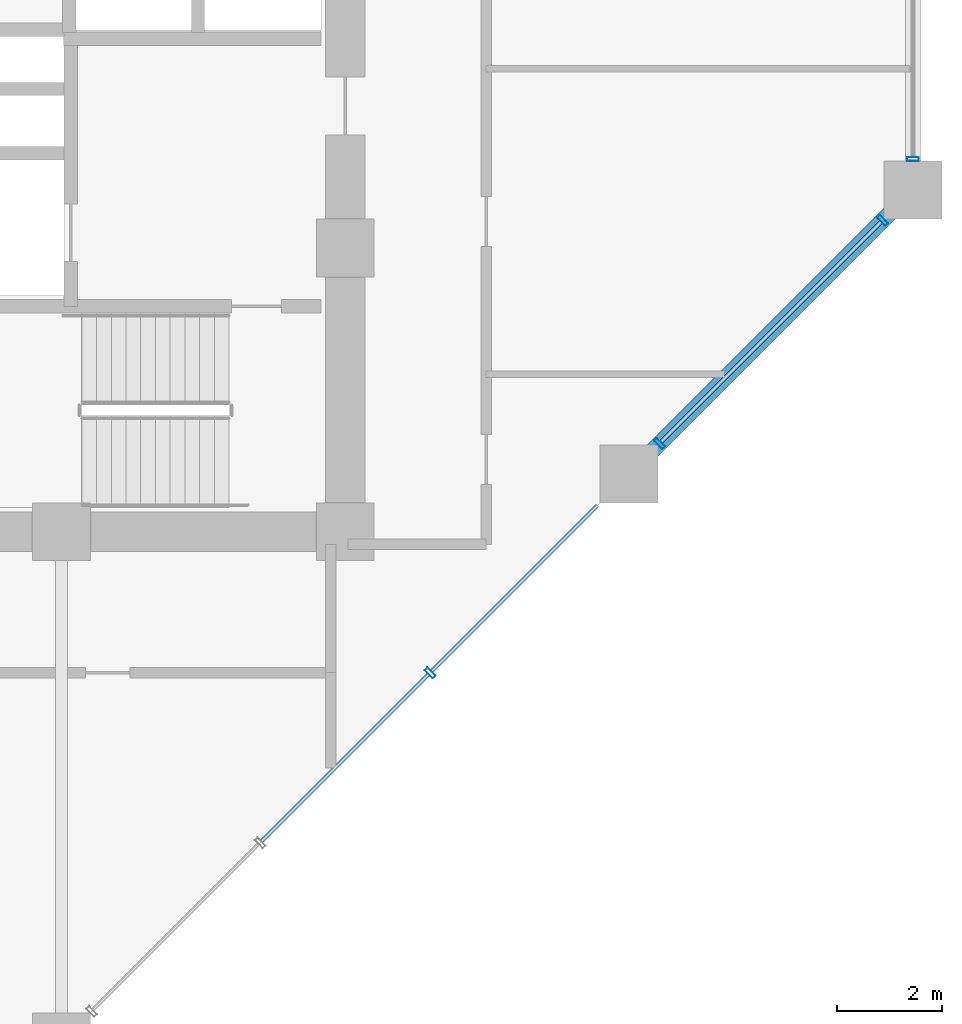
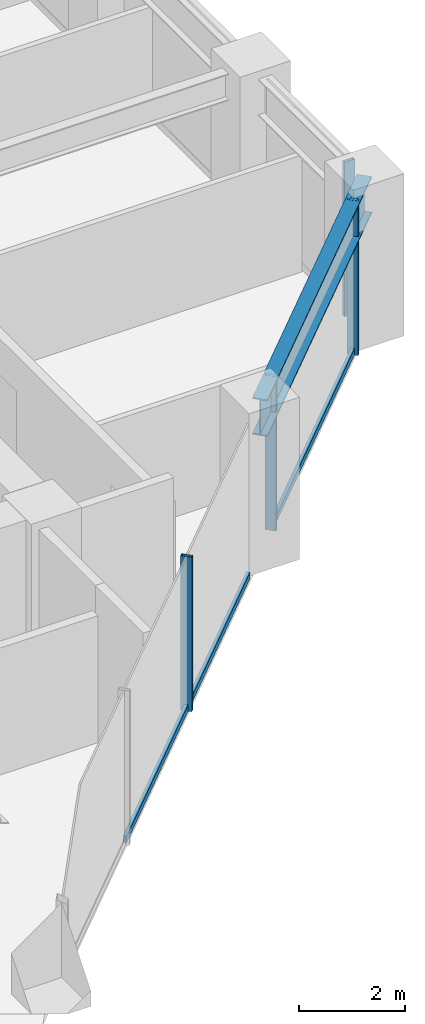
# One storey, part 8 of 25: 7 members, 1 beam, 2 elements without a shape of their own.
"""IFC4 building model written with IfcOpenShell, lengths in metres."""

from ifc_helpers import new_model, si_unit, direction, frame, origin, origin_2d, place, context, subcontext, project, spatial, hollow_rectangle, i_section, extrude, material, layer, layer_set, material_profile, profile_set, type_object, element, aggregate, save


model = new_model("IFC4")

# Units and contexts
model_context = context("Model", 3, precision=1e-05, world=origin(), true_north=direction((0.0, 1.0)))
body_context = subcontext(model_context, "Body", "Model", "MODEL_VIEW")
ifc_project = project(units=[si_unit("LENGTHUNIT", "METRE"), si_unit("AREAUNIT", "SQUARE_METRE"), si_unit("VOLUMEUNIT", "CUBIC_METRE"), si_unit("PLANEANGLEUNIT", "RADIAN"), si_unit("MASSUNIT", "GRAM", prefix="KILO")], contexts=[model_context])

# Site, building, storey
site_placement = place(None, origin())
site = spatial("IfcSite", under=ifc_project, at=site_placement, CompositionType="ELEMENT")
building_placement = place(site_placement, origin())
building = spatial("IfcBuilding", under=site, at=building_placement, Name="Surkhivell Harbour Commons", CompositionType="ELEMENT")
storey_placement = place(building_placement, frame((0.0, 0.0, 117.0)))
storey = spatial("IfcBuildingStorey", under=building, at=storey_placement, Name="L30", CompositionType="ELEMENT", Elevation=117.0)

# Beam
ifc_material_1 = material(Name="Steel S460", Category="steel")
ifc_material_profile_1 = material_profile(ifc_material_1, i_section(OverallWidth=0.2939453125, OverallDepth=0.85107421875, WebThickness=0.01611328125, FlangeThickness=0.02685546875, at=origin_2d()), Name="UB838x292x226")
ifc_profile_set_1 = profile_set([ifc_material_profile_1], Name="Steel S460")
beam_type = type_object("IfcBeamType", Name="BM-SPN-838", PredefinedType="SPANDREL", material=ifc_profile_set_1)
beam_placement = place(storey_placement, frame((16.199951171875, -9.699951171875, 3.14453125), z_axis=(0.707122765516, 0.707090796496, 0.0), x_axis=(-0.707090796496, 0.707122765516, 0.0)))
element("IfcBeam", 1, at=beam_placement, inside=storey, type_object=beam_type, Name="L30 Tube Spandrel (16.2,-9.7)", PredefinedType="SPANDREL", context=body_context, shape_type="SweptSolid", body=[
    extrude(i_section(OverallWidth=0.2939453125, OverallDepth=0.85107421875, WebThickness=0.01611328125, FlangeThickness=0.02685546875, at=origin_2d()), origin(), (0.0, 0.0, 1.0), 7.63671875),
])

# Curtain wall, members
ifc_material_2 = material(Name="Anodised pale-metal aluminium and insulated glazing", Category="aluminium")
ifc_layer = layer(ifc_material_2, 0.205078125)
ifc_layer_set = layer_set([ifc_layer], Name="Anodised pale-metal aluminium and insulated glazing")
curtain_wall_type = type_object("IfcCurtainWallType", Name="CW-SYS-Z2", PredefinedType="NOTDEFINED", material=ifc_layer_set)
curtain_wall_1_placement = place(storey_placement, origin())
curtain_wall_1 = element("IfcCurtainWall", 2, at=curtain_wall_1_placement, inside=storey, type_object=curtain_wall_type, Name="L30 Curtain Wall CW-L30-E01", PredefinedType="NOTDEFINED")
ifc_material_3 = material(Name="Anodised pale-metal aluminium alloy 6063-T6", Category="aluminium")
ifc_material_profile_2 = material_profile(ifc_material_3, hollow_rectangle(XDim=0.074951171875, YDim=0.219970703125, WallThickness=0.00390625, at=origin_2d()), Name="ALU-MULL-75x220")
ifc_profile_set_2 = profile_set([ifc_material_profile_2], Name="Anodised pale-metal aluminium alloy 6063-T6")
member_type_1 = type_object("IfcMemberType", Name="CWM-220", PredefinedType="MULLION", material=ifc_profile_set_2)
member_1_placement = place(storey_placement, frame((12.416015625, -13.48388671875, 0.0), z_axis=(0.0, 0.0, 1.0), x_axis=(0.707106781187, 0.707106781187, 0.0)))
member_1 = element("IfcMember", 3, at=member_1_placement, type_object=member_type_1, Name="CW-Z2 mullion 4", PredefinedType="MULLION", context=body_context, shape_type="SweptSolid", body=[
    extrude(hollow_rectangle(XDim=0.074951171875, YDim=0.219970703125, WallThickness=0.00390625, at=origin_2d()), origin(), (0.0, 0.0, 1.0), 3.570068359375),
])
member_2_placement = place(storey_placement, frame((16.7783203125, -9.121826171875, 0.0), z_axis=(0.0, 0.0, 1.0), x_axis=(0.707106781187, 0.707106781187, 0.0)))
member_2 = element("IfcMember", 4, at=member_2_placement, type_object=member_type_1, Name="CW-Z2 mullion 5", PredefinedType="MULLION", context=body_context, shape_type="SweptSolid", body=[
    extrude(hollow_rectangle(XDim=0.074951171875, YDim=0.219970703125, WallThickness=0.00390625, at=origin_2d()), origin(), (0.0, 0.0, 1.0), 3.570068359375),
])
member_3_placement = place(storey_placement, frame((21.021728515625, -4.878173828125, 0.0), z_axis=(0.0, 0.0, 1.0), x_axis=(0.707106781187, 0.707106781187, 0.0)))
member_3 = element("IfcMember", 5, at=member_3_placement, type_object=member_type_1, Name="CW-Z2 mullion 6", PredefinedType="MULLION", context=body_context, shape_type="SweptSolid", body=[
    extrude(hollow_rectangle(XDim=0.074951171875, YDim=0.219970703125, WallThickness=0.00390625, at=origin_2d()), origin(), (0.0, 0.0, 1.0), 3.570068359375),
])

# Curtain wall, member
curtain_wall_2_placement = place(storey_placement, origin())
curtain_wall_2 = element("IfcCurtainWall", 6, at=curtain_wall_2_placement, inside=storey, type_object=curtain_wall_type, Name="L30 Curtain Wall CW-L30-E02", PredefinedType="NOTDEFINED")
member_4_placement = place(storey_placement, frame((21.60009765625, -3.71044921875, 0.0), z_axis=(0.0, 0.0, 1.0), x_axis=(0.0, 1.0, 0.0)))
member_4 = element("IfcMember", 7, at=member_4_placement, type_object=member_type_1, Name="CW-Z2 mullion 1", PredefinedType="MULLION", context=body_context, shape_type="SweptSolid", body=[
    extrude(hollow_rectangle(XDim=0.074951171875, YDim=0.219970703125, WallThickness=0.00390625, at=origin_2d()), origin(), (0.0, 0.0, 1.0), 3.570068359375),
])
aggregate(curtain_wall_2, [member_4])

# Member
ifc_material_profile_3 = material_profile(ifc_material_3, hollow_rectangle(XDim=0.074951171875, YDim=0.14990234375, WallThickness=0.00341796875, at=origin_2d()), Name="ALU-TRAN-75x150")
ifc_profile_set_3 = profile_set([ifc_material_profile_3], Name="Anodised pale-metal aluminium alloy 6063-T6")
member_type_2 = type_object("IfcMemberType", Name="CWT-150", PredefinedType="USERDEFINED", material=ifc_profile_set_3)
member_5_placement = place(storey_placement, frame((9.21044921875, -16.689697265625, 0.074951171875), z_axis=(0.707106781187, 0.707106781187, 0.0), x_axis=(-0.707106781187, 0.707106781187, 0.0)))
member_5 = element("IfcMember", 8, at=member_5_placement, type_object=member_type_2, Name="CW-Z2 transom 3.1", ObjectType="TRANSOM", PredefinedType="USERDEFINED", context=body_context, shape_type="SweptSolid", body=[
    extrude(hollow_rectangle(XDim=0.074951171875, YDim=0.14990234375, WallThickness=0.00341796875, at=origin_2d()), origin(), (0.0, 0.0, 1.0), 4.49609375),
])

member_6_placement = place(storey_placement, frame((12.442626953125, -13.457275390625, 0.074951171875), z_axis=(0.707106781187, 0.707106781187, 0.0), x_axis=(-0.707106781187, 0.707106781187, 0.0)))
member_6 = element("IfcMember", 9, at=member_6_placement, type_object=member_type_2, Name="CW-Z2 transom 4.1", ObjectType="TRANSOM", PredefinedType="USERDEFINED", context=body_context, shape_type="SweptSolid", body=[
    extrude(hollow_rectangle(XDim=0.074951171875, YDim=0.14990234375, WallThickness=0.00341796875, at=origin_2d()), origin(), (0.0, 0.0, 1.0), 4.45849609375),
])

member_7_placement = place(storey_placement, frame((16.8046875, -9.09521484375, 0.074951171875), z_axis=(0.707127378829, 0.707086182944, 0.0), x_axis=(-0.707086182944, 0.707127378829, 0.0)))
member_7 = element("IfcMember", 10, at=member_7_placement, type_object=member_type_2, Name="CW-Z2 transom 5.1", ObjectType="TRANSOM", PredefinedType="USERDEFINED", context=body_context, shape_type="SweptSolid", body=[
    extrude(hollow_rectangle(XDim=0.074951171875, YDim=0.14990234375, WallThickness=0.00341796875, at=origin_2d()), origin(), (0.0, 0.0, 1.0), 5.92626953125),
])

aggregate(curtain_wall_1, [member_1, member_5, member_6, member_2, member_3, member_7])

save(model, "model.ifc")
